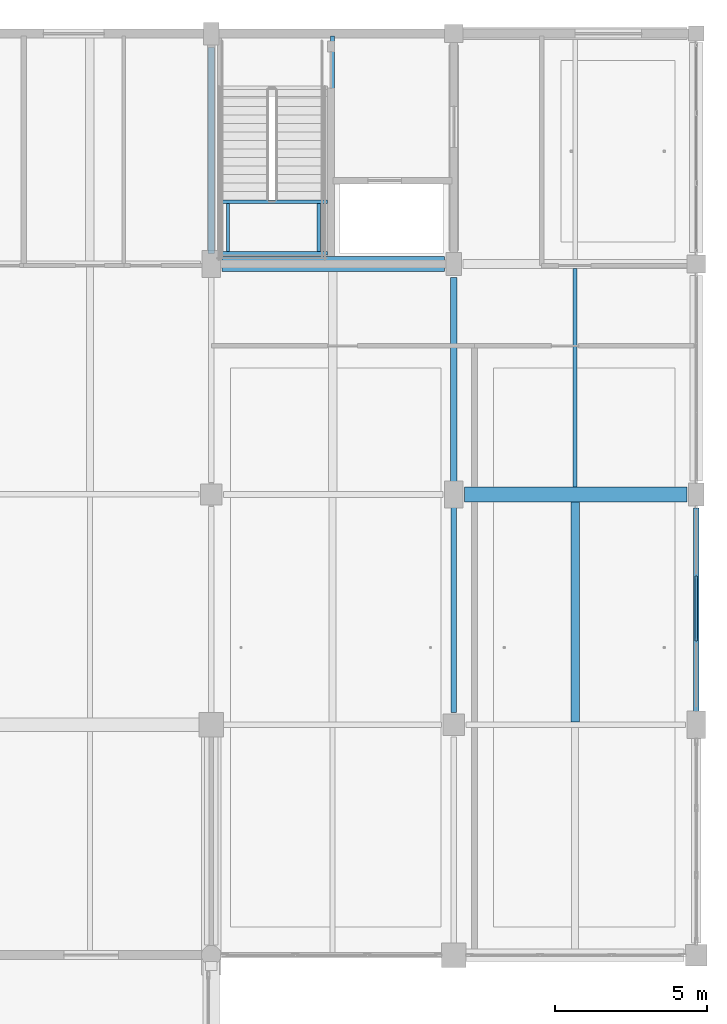
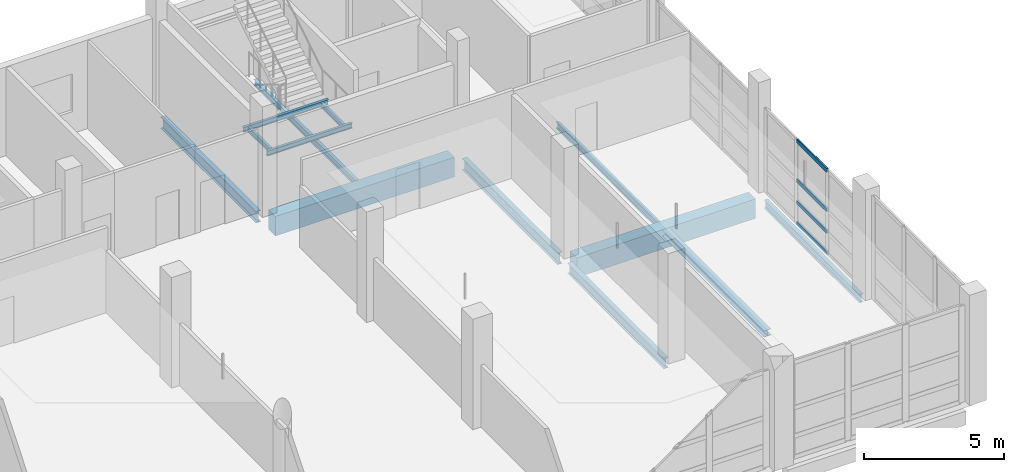
# One storey, part 63 of 147: 13 beams, 4 members, 1 element without a shape of its own.
"""IFC4 building model written with IfcOpenShell, lengths in metres."""

from ifc_helpers import new_model, si_unit, direction, frame, origin, origin_2d, place, context, subcontext, project, spatial, rectangle, hollow_rectangle, i_section, extrude, material, material_profile, profile_set, type_object, element, aggregate, save


model = new_model("IFC4")

# Units and contexts
model_context = context("Model", 3, precision=1e-05, world=origin(), true_north=direction((0.0, 1.0)))
body_context = subcontext(model_context, "Body", "Model", "MODEL_VIEW")
ifc_project = project(units=[si_unit("LENGTHUNIT", "METRE"), si_unit("AREAUNIT", "SQUARE_METRE"), si_unit("VOLUMEUNIT", "CUBIC_METRE"), si_unit("PLANEANGLEUNIT", "RADIAN"), si_unit("MASSUNIT", "GRAM", prefix="KILO")], contexts=[model_context])

# Site, building, storey
site_placement = place(None, origin())
site = spatial("IfcSite", under=ifc_project, at=site_placement, CompositionType="ELEMENT")
building_placement = place(site_placement, origin())
building = spatial("IfcBuilding", under=site, at=building_placement, Name="Khelvaren Railside Concert Hall", CompositionType="ELEMENT")
storey_placement = place(building_placement, frame((0.0, 0.0, 5.39990234375)))
storey = spatial("IfcBuildingStorey", under=building, at=storey_placement, Name="L01", CompositionType="ELEMENT", Elevation=5.39990234375)

# Beams
ifc_material_1 = material(Name="Steel S355", Category="steel")
ifc_material_profile_1 = material_profile(ifc_material_1, i_section(OverallWidth=0.199951171875, OverallDepth=0.5, WebThickness=0.01025390625, FlangeThickness=0.01611328125, FilletRadius=0.02099609375, at=origin_2d()), Name="IPE 500")
ifc_profile_set_1 = profile_set([ifc_material_profile_1], Name="Steel S355")
beam_type_1 = type_object("IfcBeamType", Name="BM62", PredefinedType="BEAM", material=ifc_profile_set_1)
for number, where, z_axis, x_axis, name in (
    (1, (168.0, 106.75, -0.5498046875), (0.0, 1.0, 0.0), (-1.0, 0.0, 0.0), "V5 L01 Beam Y6.4"),
    (2, (176.0, 99.14990234375, -0.5498046875), (0.0, 1.0, 0.0), (-1.0, 0.0, 0.0), "V5 L01 Beam Y7.3"),
):
    element("IfcBeam", number, at=place(storey_placement, frame(where, z_axis=z_axis, x_axis=x_axis)), inside=storey, type_object=beam_type_1, Name=name, PredefinedType="BEAM", context=body_context, shape_type="SweptSolid", body=[
        extrude(i_section(OverallWidth=0.199951171875, OverallDepth=0.5, WebThickness=0.01025390625, FlangeThickness=0.01611328125, FilletRadius=0.02099609375, at=origin_2d()), origin(), (0.0, 0.0, 1.0), 6.800048828125),
    ])
ifc_material_profile_2 = material_profile(ifc_material_1, i_section(OverallWidth=0.110107421875, OverallDepth=0.219970703125, WebThickness=0.005859375, FlangeThickness=0.00927734375, FilletRadius=0.011962890625, at=origin_2d()), Name="IPE 220")
ifc_profile_set_2 = profile_set([ifc_material_profile_2], Name="Steel S355")
beam_type_2 = type_object("IfcBeamType", Name="BM87", PredefinedType="BEAM", material=ifc_profile_set_2)
for number, where, z_axis, x_axis, name in (
    (3, (168.344970703125, 108.455078125, 2.090087890625), (1.0, 0.0, 0.0), (0.0, 1.0, 0.0), "ST-10 L01 Half-Landing Front Beam"),
    (4, (168.344970703125, 106.760009765625, 2.090087890625), (1.0, 0.0, 0.0), (0.0, 1.0, 0.0), "ST-10 L01 Half-Landing Rear Beam"),
):
    element("IfcBeam", number, at=place(storey_placement, frame(where, z_axis=z_axis, x_axis=x_axis)), inside=storey, type_object=beam_type_2, Name=name, PredefinedType="BEAM", context=body_context, shape_type="SweptSolid", body=[
        extrude(i_section(OverallWidth=0.110107421875, OverallDepth=0.219970703125, WebThickness=0.005859375, FlangeThickness=0.00927734375, FilletRadius=0.011962890625, at=origin_2d()), origin(), (0.0, 0.0, 1.0), 3.4951171875),
    ])
for number, where, z_axis, x_axis, name in (
    (5, (168.550048828125, 106.81494140625, 2.090087890625), (0.0, 1.0, 0.0), (-1.0, 0.0, 0.0), "ST-10 L01 Half-Landing Side Tie W"),
    (6, (171.550048828125, 106.81494140625, 2.090087890625), (0.0, 1.0, 0.0), (-1.0, 0.0, 0.0), "ST-10 L01 Half-Landing Side Tie E"),
):
    element("IfcBeam", number, at=place(storey_placement, frame(where, z_axis=z_axis, x_axis=x_axis)), inside=storey, type_object=beam_type_2, Name=name, PredefinedType="BEAM", context=body_context, shape_type="SweptSolid", body=[
        extrude(i_section(OverallWidth=0.110107421875, OverallDepth=0.219970703125, WebThickness=0.005859375, FlangeThickness=0.00927734375, FilletRadius=0.011962890625, at=origin_2d()), origin(), (0.0, 0.0, 1.0), 1.5849609375),
    ])
ifc_material_profile_3 = material_profile(ifc_material_1, i_section(OverallWidth=0.18994140625, OverallDepth=0.449951171875, WebThickness=0.009521484375, FlangeThickness=0.0146484375, FilletRadius=0.02099609375, at=origin_2d()), Name="IPE 450")
ifc_profile_set_3 = profile_set([ifc_material_profile_3], Name="Steel S355")
beam_type_3 = type_object("IfcBeamType", Name="BM95", PredefinedType="BEAM", material=ifc_profile_set_3)
beam_1_placement = place(storey_placement, frame((176.0, 91.60009765625, -0.52490234375), z_axis=(0.0, 1.0, 0.0), x_axis=(-1.0, 0.0, 0.0)))
element("IfcBeam", 7, at=beam_1_placement, inside=storey, type_object=beam_type_3, Name="V5 L01 Beam Y7.2", PredefinedType="BEAM", context=body_context, shape_type="SweptSolid", body=[
    extrude(i_section(OverallWidth=0.18994140625, OverallDepth=0.449951171875, WebThickness=0.009521484375, FlangeThickness=0.0146484375, FilletRadius=0.02099609375, at=origin_2d()), origin(), (0.0, 0.0, 1.0), 6.849853515625),
])

# Curtain wall, members
ifc_material_2 = material(Name="Triple-glazed solar-control glass", Category="glass")
curtain_wall_type = type_object("IfcCurtainWallType", Name="CW88", PredefinedType="USERDEFINED", material=ifc_material_2)
curtain_wall_placement = place(storey_placement, origin())
curtain_wall = element("IfcCurtainWall", 8, at=curtain_wall_placement, inside=storey, type_object=curtain_wall_type, Name="Unitised Curtain Wall CW-V5-L01-E-91", ObjectType="UNITISED CURTAIN WALL", PredefinedType="USERDEFINED")
ifc_material_3 = material(Name="Anodised architectural aluminium 6063-T6", Category="aluminium")
ifc_material_profile_4 = material_profile(ifc_material_3, hollow_rectangle(XDim=0.074951171875, YDim=0.1650390625, WallThickness=0.00390625, InnerFilletRadius=0.001953125, OuterFilletRadius=0.00390625, at=origin_2d()), Name="CWT 75x165x4")
ifc_profile_set_4 = profile_set([ifc_material_profile_4], Name="Anodised architectural aluminium 6063-T6")
member_type = type_object("IfcMemberType", Name="CWT46", PredefinedType="USERDEFINED", material=ifc_profile_set_4)
member_1_placement = place(storey_placement, frame((184.0, 96.10498046875, 0.03759765625), z_axis=(0.0, -1.0, 0.0), x_axis=(1.0, 0.0, 0.0)))
member_1 = element("IfcMember", 9, at=member_1_placement, type_object=member_type, Name="CW88 transom 2.1", ObjectType="TRANSOM", PredefinedType="USERDEFINED", context=body_context, shape_type="SweptSolid", body=[
    extrude(hollow_rectangle(XDim=0.074951171875, YDim=0.1650390625, WallThickness=0.00390625, InnerFilletRadius=0.001953125, OuterFilletRadius=0.00390625, at=origin_2d()), origin(), (0.0, 0.0, 1.0), 2.135009765625),
])
member_2_placement = place(storey_placement, frame((184.0, 96.10498046875, 0.9501953125), z_axis=(0.0, -1.0, 0.0), x_axis=(1.0, 0.0, 0.0)))
member_2 = element("IfcMember", 10, at=member_2_placement, type_object=member_type, Name="CW88 transom 2.2", ObjectType="TRANSOM", PredefinedType="USERDEFINED", context=body_context, shape_type="SweptSolid", body=[
    extrude(hollow_rectangle(XDim=0.074951171875, YDim=0.1650390625, WallThickness=0.00390625, InnerFilletRadius=0.001953125, OuterFilletRadius=0.00390625, at=origin_2d()), origin(), (0.0, 0.0, 1.0), 2.135009765625),
])
member_3_placement = place(storey_placement, frame((184.0, 96.10498046875, 1.898193359375), z_axis=(0.0, -1.0, 0.0), x_axis=(1.0, 0.0, 0.0)))
member_3 = element("IfcMember", 11, at=member_3_placement, type_object=member_type, Name="CW88 transom 2.3", ObjectType="TRANSOM", PredefinedType="USERDEFINED", context=body_context, shape_type="SweptSolid", body=[
    extrude(hollow_rectangle(XDim=0.074951171875, YDim=0.1650390625, WallThickness=0.00390625, InnerFilletRadius=0.001953125, OuterFilletRadius=0.00390625, at=origin_2d()), origin(), (0.0, 0.0, 1.0), 2.135009765625),
])
member_4_placement = place(storey_placement, frame((184.0, 96.10498046875, 3.612548828125), z_axis=(0.0, -1.0, 0.0), x_axis=(1.0, 0.0, 0.0)))
member_4 = element("IfcMember", 12, at=member_4_placement, type_object=member_type, Name="CW88 transom 2.4", ObjectType="TRANSOM", PredefinedType="USERDEFINED", context=body_context, shape_type="SweptSolid", body=[
    extrude(hollow_rectangle(XDim=0.074951171875, YDim=0.1650390625, WallThickness=0.00390625, InnerFilletRadius=0.001953125, OuterFilletRadius=0.00390625, at=origin_2d()), origin(), (0.0, 0.0, 1.0), 2.135009765625),
])
aggregate(curtain_wall, [member_1, member_2, member_3, member_4])

# Beams
ifc_material_4 = material(Name="Concrete C40/50", Category="concrete")
ifc_material_profile_5 = material_profile(ifc_material_4, rectangle(XDim=0.5, YDim=0.85009765625, at=origin_2d()), Name="RCB 500x850")
ifc_profile_set_5 = profile_set([ifc_material_profile_5], Name="Concrete C40/50")
beam_type_4 = type_object("IfcBeamType", Name="GR96", PredefinedType="T_BEAM", material=ifc_profile_set_5)
for number, where, z_axis, x_axis, name in (
    (13, (176.35009765625, 98.800048828125, -0.724853515625), (1.0, 0.0, 0.0), (0.0, 1.0, 0.0), "V5 L01 T_Beam X3.7"),
    (14, (168.35009765625, 106.39990234375, -0.724853515625), (1.0, 0.0, 0.0), (0.0, 1.0, 0.0), "V5 L01 T_Beam X4.6"),
):
    element("IfcBeam", number, at=place(storey_placement, frame(where, z_axis=z_axis, x_axis=x_axis)), inside=storey, type_object=beam_type_4, Name=name, PredefinedType="T_BEAM", context=body_context, shape_type="SweptSolid", body=[
        extrude(rectangle(XDim=0.5, YDim=0.85009765625, at=origin_2d()), origin(), (0.0, 0.0, 1.0), 7.349853515625),
    ])
ifc_material_profile_6 = material_profile(ifc_material_1, i_section(OverallWidth=0.280029296875, OverallDepth=0.27001953125, WebThickness=0.008056640625, FlangeThickness=0.012939453125, FilletRadius=0.02392578125, at=origin_2d()), Name="HEA 280")
ifc_profile_set_6 = profile_set([ifc_material_profile_6], Name="Steel S355")
beam_type_5 = type_object("IfcBeamType", Name="JS46", PredefinedType="JOIST", material=ifc_profile_set_6)
beam_2_placement = place(storey_placement, frame((180.0, 91.294921875, -0.434814453125), z_axis=(0.0, 1.0, 0.0), x_axis=(-1.0, 0.0, 0.0)))
element("IfcBeam", 15, at=beam_2_placement, inside=storey, type_object=beam_type_5, Name="V5 L01 Secondary Joist 7.2", PredefinedType="JOIST", context=body_context, shape_type="SweptSolid", body=[
    extrude(i_section(OverallWidth=0.280029296875, OverallDepth=0.27001953125, WebThickness=0.008056640625, FlangeThickness=0.012939453125, FilletRadius=0.02392578125, at=origin_2d()), origin(), (0.0, 0.0, 1.0), 7.255126953125),
])
ifc_material_profile_7 = material_profile(ifc_material_1, i_section(OverallWidth=0.135009765625, OverallDepth=0.27001953125, WebThickness=0.006591796875, FlangeThickness=0.01025390625, FilletRadius=0.014892578125, at=origin_2d()), Name="IPE 270")
ifc_profile_set_7 = profile_set([ifc_material_profile_7], Name="Steel S355")
beam_type_6 = type_object("IfcBeamType", Name="JS78", PredefinedType="JOIST", material=ifc_profile_set_7)
beam_3_placement = place(storey_placement, frame((172.0, 106.64990234375, -0.434814453125), z_axis=(0.0, 1.0, 0.0), x_axis=(-1.0, 0.0, 0.0)))
element("IfcBeam", 16, at=beam_3_placement, inside=storey, type_object=beam_type_6, Name="V5 L01 Secondary Joist 6.4", PredefinedType="JOIST", context=body_context, shape_type="SweptSolid", body=[
    extrude(i_section(OverallWidth=0.135009765625, OverallDepth=0.27001953125, WebThickness=0.006591796875, FlangeThickness=0.01025390625, FilletRadius=0.014892578125, at=origin_2d()), origin(), (0.0, 0.0, 1.0), 7.26513671875),
])
beam_4_placement = place(storey_placement, frame((180.0, 99.050048828125, -0.434814453125), z_axis=(0.0, 1.0, 0.0), x_axis=(-1.0, 0.0, 0.0)))
element("IfcBeam", 17, at=beam_4_placement, inside=storey, type_object=beam_type_6, Name="V5 L01 Secondary Joist 7.3", PredefinedType="JOIST", context=body_context, shape_type="SweptSolid", body=[
    extrude(i_section(OverallWidth=0.135009765625, OverallDepth=0.27001953125, WebThickness=0.006591796875, FlangeThickness=0.01025390625, FilletRadius=0.014892578125, at=origin_2d()), origin(), (0.0, 0.0, 1.0), 7.199951171875),
])
ifc_material_profile_8 = material_profile(ifc_material_1, i_section(OverallWidth=0.169921875, OverallDepth=0.360107421875, WebThickness=0.008056640625, FlangeThickness=0.0126953125, FilletRadius=0.01806640625, at=origin_2d()), Name="IPE 360")
ifc_profile_set_8 = profile_set([ifc_material_profile_8], Name="Steel S355")
beam_type_7 = type_object("IfcBeamType", Name="SP74", PredefinedType="SPANDREL", material=ifc_profile_set_8)
beam_5_placement = place(storey_placement, frame((184.0, 91.550048828125, -0.47998046875), z_axis=(0.0, 1.0, 0.0), x_axis=(-1.0, 0.0, 0.0)))
element("IfcBeam", 18, at=beam_5_placement, inside=storey, type_object=beam_type_7, Name="V5 L01 Spandrel Y8.2", PredefinedType="SPANDREL", context=body_context, shape_type="SweptSolid", body=[
    extrude(i_section(OverallWidth=0.169921875, OverallDepth=0.360107421875, WebThickness=0.008056640625, FlangeThickness=0.0126953125, FilletRadius=0.01806640625, at=origin_2d()), origin(), (0.0, 0.0, 1.0), 6.800048828125),
])

save(model, "model.ifc")
